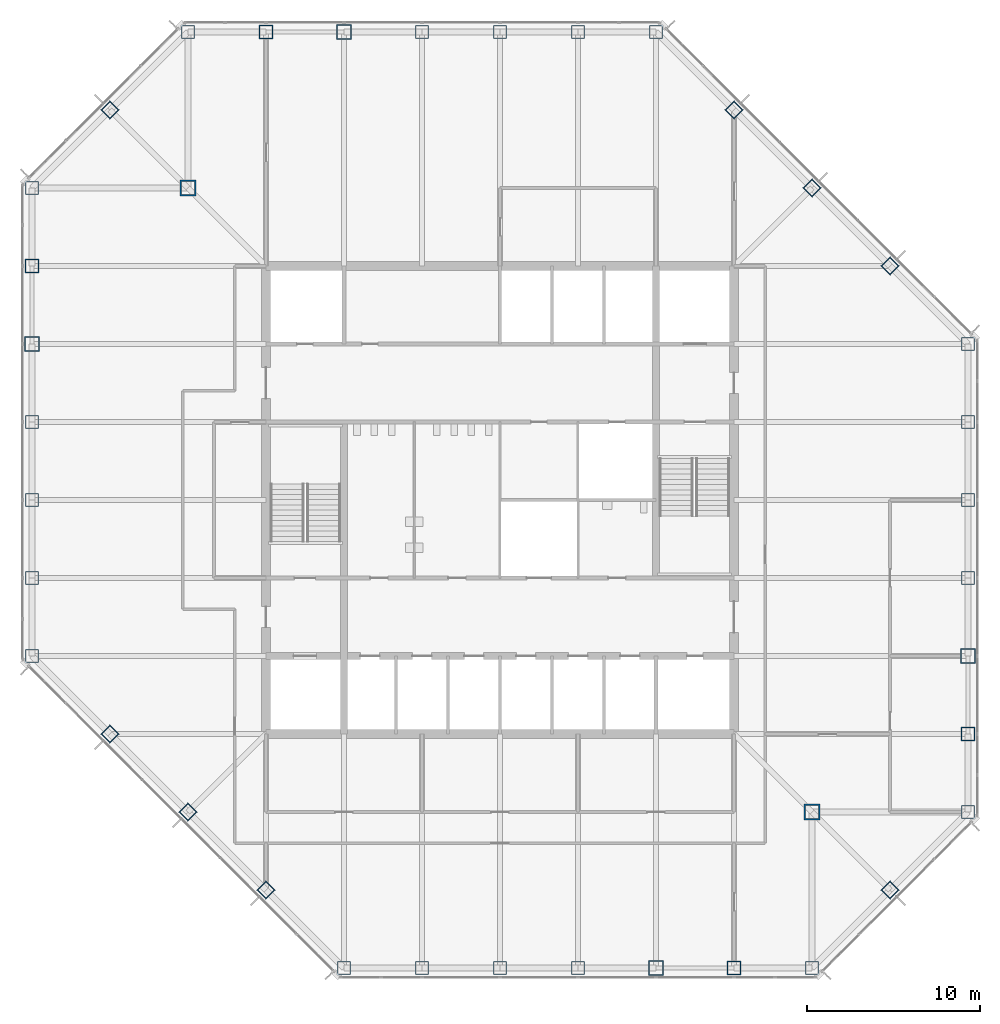
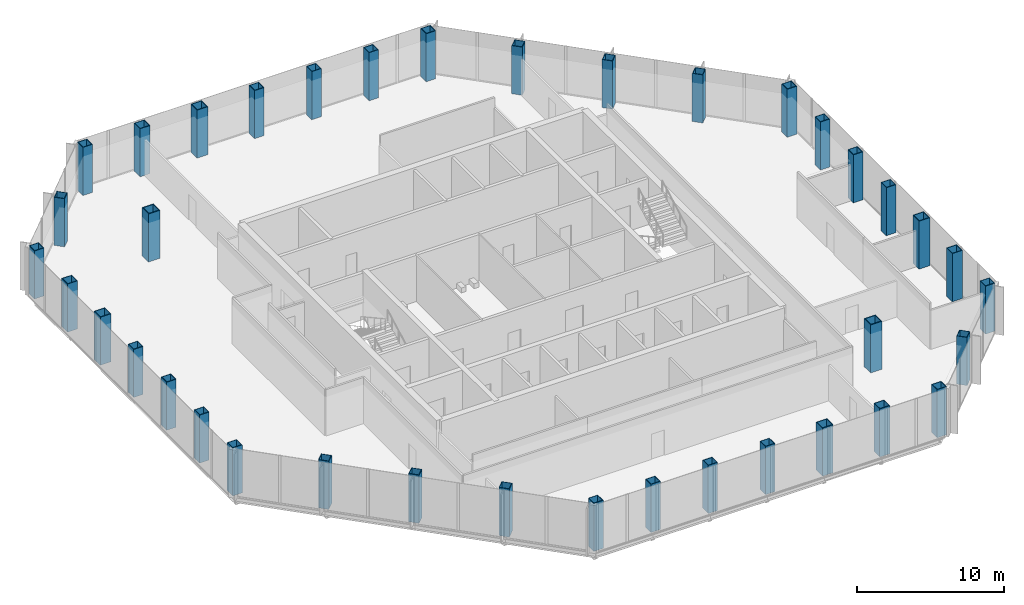
# One storey, part 1 of 12: 38 columns.
"""IFC4 building model written with IfcOpenShell, lengths in metres."""

from ifc_helpers import new_model, si_unit, direction, frame, origin, origin_2d, place, context, subcontext, project, spatial, hollow_rectangle, extrude, material, material_profile, profile_set, type_object, element, save


model = new_model("IFC4")

# Units and contexts
model_context = context("Model", 3, precision=1e-05, world=origin(), true_north=direction((0.0, 1.0)))
body_context = subcontext(model_context, "Body", "Model", "MODEL_VIEW")
ifc_project = project(units=[si_unit("LENGTHUNIT", "METRE"), si_unit("AREAUNIT", "SQUARE_METRE"), si_unit("VOLUMEUNIT", "CUBIC_METRE"), si_unit("PLANEANGLEUNIT", "RADIAN"), si_unit("MASSUNIT", "GRAM", prefix="KILO")], contexts=[model_context])

# Site, building, storey
site_placement = place(None, origin())
site = spatial("IfcSite", under=ifc_project, at=site_placement, CompositionType="ELEMENT")
building_placement = place(site_placement, origin())
building = spatial("IfcBuilding", under=site, at=building_placement, Name="Corais Broadcast Tower", CompositionType="ELEMENT")
storey_placement = place(building_placement, frame((0.0, 0.0, 139.60009765625)))
storey = spatial("IfcBuildingStorey", under=building, at=storey_placement, Name="L31", CompositionType="ELEMENT", Elevation=139.60009765625)

# Columns
ifc_material_1 = material(Name="Steel ASTM A572 Grade 50", Category="steel")
ifc_material_profile_1 = material_profile(ifc_material_1, hollow_rectangle(XDim=0.75, YDim=0.75, WallThickness=0.0400390625, at=origin_2d()), Name="BOX 750x750x40")
ifc_profile_set_1 = profile_set([ifc_material_profile_1], Name="Steel ASTM A572 Grade 50")
column_type_1 = type_object("IfcColumnType", Name="Column BOX 750x750x40", PredefinedType="COLUMN", material=ifc_profile_set_1)
for number, where, z_axis, x_axis, name in (
    (1, (18.0, 0.0, 0.0), (0.0, 0.0, 1.0), (1.0, 0.0, 0.0), "C4 A/7"),
    (2, (22.5, 0.0, 0.0), (0.0, 0.0, 1.0), (1.0, 0.0, 0.0), "C4 A/8"),
    (3, (27.0, 0.0, 0.0), (0.0, 0.0, 1.0), (1.0, 0.0, 0.0), "C4 A/9"),
    (4, (31.5, 0.0, 0.0), (0.0, 0.0, 1.0), (1.0, 0.0, 0.0), "C4 A/10"),
    (5, (45.0, 0.0, 0.0), (0.0, 0.0, 1.0), (1.0, 0.0, 0.0), "C4 A/13"),
    (6, (54.0, 9.0, 0.0), (0.0, 0.0, 1.0), (1.0, 0.0, 0.0), "C4 C/15"),
    (7, (54.0, 22.5, 0.0), (0.0, 0.0, 1.0), (1.0, 0.0, 0.0), "C4 F/15"),
    (8, (54.0, 27.0, 0.0), (0.0, 0.0, 1.0), (1.0, 0.0, 0.0), "C4 G/15"),
    (9, (54.0, 31.5, 0.0), (0.0, 0.0, 1.0), (1.0, 0.0, 0.0), "C4 H/15"),
    (10, (54.0, 36.0, 0.0), (0.0, 0.0, 1.0), (1.0, 0.0, 0.0), "C4 J/15"),
    (11, (36.0, 54.0, 0.0), (0.0, 0.0, 1.0), (1.0, 0.0, 0.0), "C4 N/11"),
    (12, (31.5, 54.0, 0.0), (0.0, 0.0, 1.0), (1.0, 0.0, 0.0), "C4 N/10"),
    (13, (27.0, 54.0, 0.0), (0.0, 0.0, 1.0), (1.0, 0.0, 0.0), "C4 N/9"),
    (14, (22.5, 54.0, 0.0), (0.0, 0.0, 1.0), (1.0, 0.0, 0.0), "C4 N/8"),
    (15, (9.0, 54.0, 0.0), (0.0, 0.0, 1.0), (1.0, 0.0, 0.0), "C4 N/5"),
    (16, (0.0, 45.0, 0.0), (0.0, 0.0, 1.0), (1.0, 0.0, 0.0), "C4 L/3"),
    (17, (0.0, 31.5, 0.0), (0.0, 0.0, 1.0), (1.0, 0.0, 0.0), "C4 H/3"),
    (18, (0.0, 27.0, 0.0), (0.0, 0.0, 1.0), (1.0, 0.0, 0.0), "C4 G/3"),
    (19, (0.0, 22.5, 0.0), (0.0, 0.0, 1.0), (1.0, 0.0, 0.0), "C4 F/3"),
    (20, (0.0, 18.0, 0.0), (0.0, 0.0, 1.0), (1.0, 0.0, 0.0), "C4 E/3"),
    (21, (13.5, 4.5, 0.0), (0.0, 0.0, 1.0), (0.707106781187, 0.707106781187, 0.0), "C4 B/6"),
    (22, (9.0, 9.0, 0.0), (0.0, 0.0, 1.0), (0.707106781187, 0.707106781187, 0.0), "C4 C/5"),
    (23, (4.5, 13.5, 0.0), (0.0, 0.0, 1.0), (0.707106781187, 0.707106781187, 0.0), "C4 D/4"),
    (24, (49.5, 4.5, 0.0), (0.0, 0.0, 1.0), (0.707106781187, 0.707106781187, 0.0), "C4 B/14"),
    (25, (49.5, 40.5, 0.0), (0.0, 0.0, 1.0), (0.707106781187, 0.707106781187, 0.0), "C4 K/14"),
    (26, (45.0, 45.0, 0.0), (0.0, 0.0, 1.0), (0.707106781187, 0.707106781187, 0.0), "C4 L/13"),
    (27, (40.5, 49.5, 0.0), (0.0, 0.0, 1.0), (0.707106781187, 0.707106781187, 0.0), "C4 M/12"),
    (28, (4.5, 49.5, 0.0), (0.0, 0.0, 1.0), (0.707106781187, 0.707106781187, 0.0), "C4 M/4"),
):
    element("IfcColumn", number, at=place(storey_placement, frame(where, z_axis=z_axis, x_axis=x_axis)), inside=storey, type_object=column_type_1, Name=name, PredefinedType="COLUMN", context=body_context, shape_type="SweptSolid", body=[
        extrude(hollow_rectangle(XDim=0.75, YDim=0.75, WallThickness=0.0400390625, at=origin_2d()), origin(), (0.0, 0.0, 1.0), 4.0),
    ])
ifc_material_2 = material(Name="Steel ASTM A572 Grade 50", Category="steel")
ifc_material_profile_2 = material_profile(ifc_material_2, hollow_rectangle(XDim=0.800048828125, YDim=0.800048828125, WallThickness=0.044921875, at=origin_2d()), Name="BOX 800x800x45")
ifc_profile_set_2 = profile_set([ifc_material_profile_2], Name="Steel ASTM A572 Grade 50")
column_type_2 = type_object("IfcColumnType", Name="Column BOX 800x800x45", PredefinedType="COLUMN", material=ifc_profile_set_2)
for number, where, z_axis, x_axis, name in (
    (29, (40.5, 0.0, 0.0), (0.0, 0.0, 1.0), (1.0, 0.0, 0.0), "C3 A/12"),
    (30, (54.0, 13.5, 0.0), (0.0, 0.0, 1.0), (1.0, 0.0, 0.0), "C3 D/15"),
    (31, (13.5, 54.0, 0.0), (0.0, 0.0, 1.0), (1.0, 0.0, 0.0), "C3 N/6"),
    (32, (0.0, 40.5, 0.0), (0.0, 0.0, 1.0), (1.0, 0.0, 0.0), "C3 K/3"),
):
    element("IfcColumn", number, at=place(storey_placement, frame(where, z_axis=z_axis, x_axis=x_axis)), inside=storey, type_object=column_type_2, Name=name, PredefinedType="COLUMN", context=body_context, shape_type="SweptSolid", body=[
        extrude(hollow_rectangle(XDim=0.800048828125, YDim=0.800048828125, WallThickness=0.044921875, at=origin_2d()), origin(), (0.0, 0.0, 1.0), 4.0),
    ])
ifc_material_3 = material(Name="Steel ASTM A572 Grade 50", Category="steel")
ifc_material_profile_3 = material_profile(ifc_material_3, hollow_rectangle(XDim=0.85009765625, YDim=0.85009765625, WallThickness=0.050048828125, at=origin_2d()), Name="BOX 850x850x50")
ifc_profile_set_3 = profile_set([ifc_material_profile_3], Name="Steel ASTM A572 Grade 50")
column_type_3 = type_object("IfcColumnType", Name="Column BOX 850x850x50", PredefinedType="COLUMN", material=ifc_profile_set_3)
for number, where, z_axis, x_axis, name in (
    (33, (36.0, 0.0, 0.0), (0.0, 0.0, 1.0), (1.0, 0.0, 0.0), "C1 A/11"),
    (34, (54.0, 18.0, 0.0), (0.0, 0.0, 1.0), (1.0, 0.0, 0.0), "C1 E/15"),
    (35, (18.0, 54.0, 0.0), (0.0, 0.0, 1.0), (1.0, 0.0, 0.0), "C1 N/7"),
    (36, (0.0, 36.0, 0.0), (0.0, 0.0, 1.0), (1.0, 0.0, 0.0), "C1 J/3"),
):
    element("IfcColumn", number, at=place(storey_placement, frame(where, z_axis=z_axis, x_axis=x_axis)), inside=storey, type_object=column_type_3, Name=name, PredefinedType="COLUMN", context=body_context, shape_type="SweptSolid", body=[
        extrude(hollow_rectangle(XDim=0.85009765625, YDim=0.85009765625, WallThickness=0.050048828125, at=origin_2d()), origin(), (0.0, 0.0, 1.0), 4.0),
    ])
ifc_material_4 = material(Name="Steel ASTM A572 Grade 50", Category="steel")
ifc_material_profile_4 = material_profile(ifc_material_4, hollow_rectangle(XDim=0.89990234375, YDim=0.89990234375, WallThickness=0.06298828125, at=origin_2d()), Name="BOX 900x900x63")
ifc_profile_set_4 = profile_set([ifc_material_profile_4], Name="Steel ASTM A572 Grade 50")
column_type_4 = type_object("IfcColumnType", Name="Column BOX 900x900x63", PredefinedType="COLUMN", material=ifc_profile_set_4)
for number, where, z_axis, x_axis, name in (
    (37, (45.0, 9.0, 0.0), (0.0, 0.0, 1.0), (1.0, 0.0, 0.0), "C2 C/13"),
    (38, (9.0, 45.0, 0.0), (0.0, 0.0, 1.0), (1.0, 0.0, 0.0), "C2 L/5"),
):
    element("IfcColumn", number, at=place(storey_placement, frame(where, z_axis=z_axis, x_axis=x_axis)), inside=storey, type_object=column_type_4, Name=name, PredefinedType="COLUMN", context=body_context, shape_type="SweptSolid", body=[
        extrude(hollow_rectangle(XDim=0.89990234375, YDim=0.89990234375, WallThickness=0.06298828125, at=origin_2d()), origin(), (0.0, 0.0, 1.0), 4.0),
    ])

save(model, "model.ifc")
